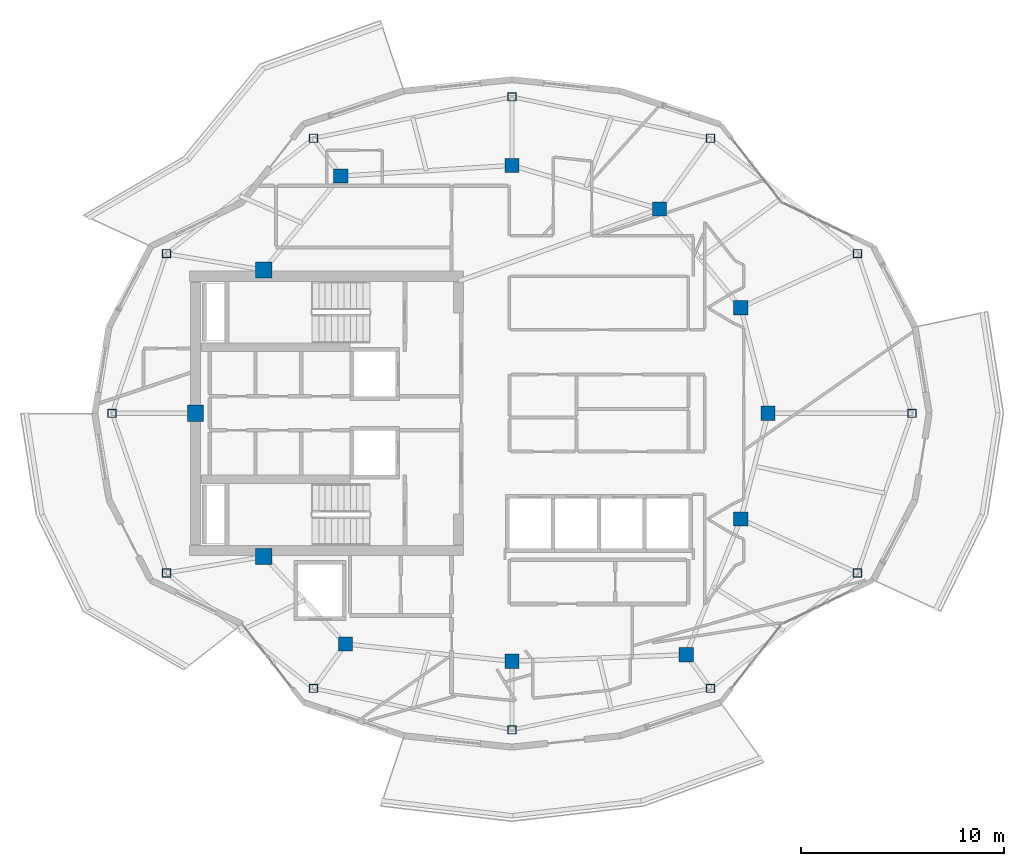
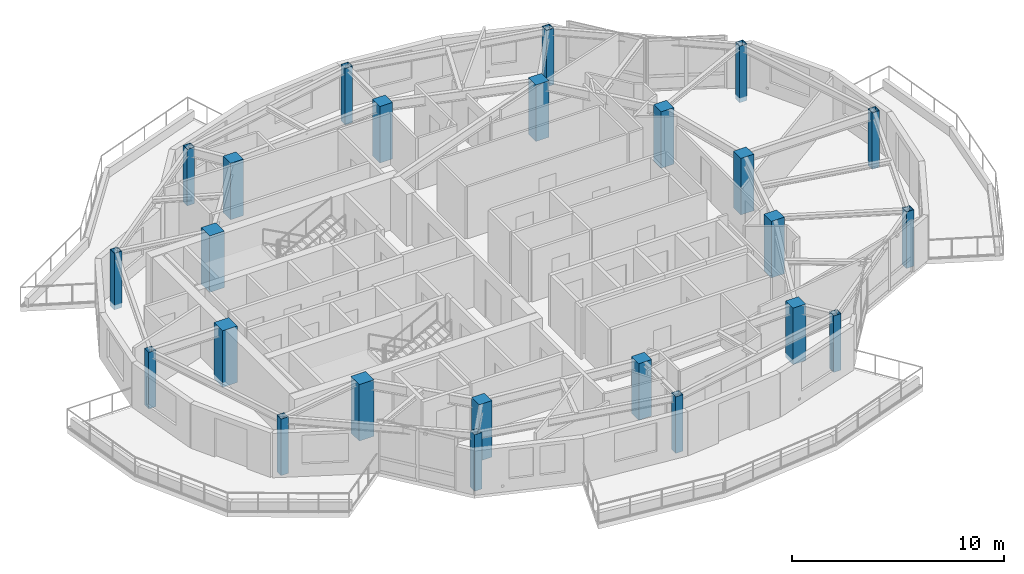
# One storey, part 1 of 15: 24 columns.
"""IFC4 building model written with IfcOpenShell, lengths in metres."""

import ifcopenshell
import ifcopenshell.guid

model = None  # the IFC model being written
_history = None  # IfcOwnerHistory: only IFC2X3 demands one
_inside = {}  # id of a spatial element -> (the spatial element, [elements in it])
_under = {}  # id of a project, library or spatial element -> (it, [spatial elements below it])
_declared = {}  # id of a project -> (the project, [libraries it declares])
_typed = {}  # id of a type object -> (the type object, [elements of that type])
_made_of = {}  # id of a material, layer set ... -> (it, [elements and type objects made of it])


def new_model(schema):
    """Start an empty IFC model of exactly this schema.

    Asked for "IFC4X3", IfcOpenShell would pick the latest addendum, in which some entities
    have other attributes; the version numbers below select the first issue.
    IFC2X3 requires an IfcOwnerHistory on every rooted entity: one is made here for all.
    """
    global model, _history
    if schema == "IFC4X3":
        model = ifcopenshell.file(schema_version=(4, 3, 0, 0))
    else:
        model = ifcopenshell.file(schema=schema)
    _inside.clear()
    _under.clear()
    _declared.clear()
    _typed.clear()
    _made_of.clear()
    _history = None
    if model.schema == "IFC2X3":
        org = make("IfcOrganization", Name="unknown")
        user = make(
            "IfcPersonAndOrganization",
            ThePerson=make("IfcPerson", FamilyName="unknown"),
            TheOrganization=org,
        )
        app = make(
            "IfcApplication",
            ApplicationDeveloper=org,
            Version="unknown",
            ApplicationFullName="unknown",
            ApplicationIdentifier="unknown",
        )
        _history = make(
            "IfcOwnerHistory",
            OwningUser=user,
            OwningApplication=app,
            ChangeAction="ADDED",
            CreationDate=0,
        )
    return model


def make(cls, **values):
    """One entity of the class cls with the attributes given. An attribute that is None is left unset."""
    return model.create_entity(
        cls, **{name: value for name, value in values.items() if value is not None}
    )


def rooted(cls, **values):
    """An entity with a GlobalId (a new one), such as an element, a storey or a relation."""
    return make(cls, GlobalId=ifcopenshell.guid.new(), OwnerHistory=_history, **values)


def si_unit(unit_type, name, prefix=None):
    """IfcSIUnit, for example si_unit("LENGTHUNIT", "METRE", prefix="MILLI")."""
    return make("IfcSIUnit", UnitType=unit_type, Prefix=prefix, Name=name)


def assignment(units):
    """IfcUnitAssignment: the units of a project."""
    return None if units is None else make("IfcUnitAssignment", Units=units)


def point(xyz):
    """IfcCartesianPoint."""
    return None if xyz is None else make("IfcCartesianPoint", Coordinates=xyz)


def direction(xyz):
    """IfcDirection."""
    return None if xyz is None else make("IfcDirection", DirectionRatios=xyz)


def frame(location, z_axis=None, x_axis=None):
    """IfcAxis2Placement3D, a coordinate frame: its origin and axes. An axis left out is left unset."""
    return make(
        "IfcAxis2Placement3D",
        Location=point(location),
        Axis=direction(z_axis),
        RefDirection=direction(x_axis),
    )


def frame_2d(location, x_axis=None):
    """IfcAxis2Placement2D, a coordinate frame in the plane: its origin and x axis."""
    return make(
        "IfcAxis2Placement2D", Location=point(location), RefDirection=direction(x_axis)
    )


def origin():
    """The frame at (0, 0, 0) with its axes left unset."""
    return frame((0.0, 0.0, 0.0))


def origin_2d():
    """The frame at (0, 0) in the plane with its x axis left unset."""
    return frame_2d((0.0, 0.0))


def place(relative_to, where):
    """IfcLocalPlacement: puts the frame where relative to a parent placement (None: the world)."""
    return make(
        "IfcLocalPlacement", PlacementRelTo=relative_to, RelativePlacement=where
    )


def context(
    kind, dimensions, precision=None, world=None, true_north=None, identifier=None
):
    """IfcGeometricRepresentationContext, for example the 3D "Model" context."""
    return make(
        "IfcGeometricRepresentationContext",
        ContextIdentifier=identifier,
        ContextType=kind,
        CoordinateSpaceDimension=dimensions,
        Precision=precision,
        WorldCoordinateSystem=world,
        TrueNorth=true_north,
    )


def subcontext(parent, identifier, kind, view, scale=None):
    """IfcGeometricRepresentationSubContext, for example "Body" below "Model"."""
    return make(
        "IfcGeometricRepresentationSubContext",
        ContextIdentifier=identifier,
        ContextType=kind,
        ParentContext=parent,
        TargetScale=scale,
        TargetView=view,
    )


def project(units=None, contexts=None):
    """IfcProject with its units and contexts."""
    return rooted(
        "IfcProject",
        Name="project",
        RepresentationContexts=contexts,
        UnitsInContext=assignment(units),
    )


def spatial(cls, under=None, at=None, **own):
    """A site, building, storey or space (cls), placed at a placement, below another one or the project."""
    s = rooted(cls, ObjectPlacement=at, **own)
    if under is not None:
        _under.setdefault(under.id(), (under, []))[1].append(s)
    return s


def profile(cls, at=None, kind="AREA", **sizes):
    """A parametric profile (cls). Its sizes go by their IFC names, for example OverallWidth=200.0."""
    return make(cls, ProfileType=kind, Position=at, **sizes)


def rectangle(**sizes):
    """IfcRectangleProfileDef."""
    return profile("IfcRectangleProfileDef", **sizes)


def hollow_rectangle(**sizes):
    """IfcRectangleHollowProfileDef."""
    return profile("IfcRectangleHollowProfileDef", **sizes)


def extrude(swept, where, along, depth):
    """IfcExtrudedAreaSolid: the profile swept, set in the frame where, extruded along a direction by depth."""
    return make(
        "IfcExtrudedAreaSolid",
        SweptArea=swept,
        Position=where,
        ExtrudedDirection=direction(along),
        Depth=depth,
    )


def shape(context_of_items, identifier, shape_type, items):
    """IfcShapeRepresentation: the items that make up one representation, for example the "Body"."""
    return make(
        "IfcShapeRepresentation",
        ContextOfItems=context_of_items,
        RepresentationIdentifier=identifier,
        RepresentationType=shape_type,
        Items=items,
    )


def material(Name=None, Category=None):
    """IfcMaterial."""
    return make("IfcMaterial", Name=Name, Category=Category)


def material_profile(
    of_material, cross_section, Name=None, Category=None, Priority=None
):
    """IfcMaterialProfile: a cross section and its material."""
    return make(
        "IfcMaterialProfile",
        Name=Name,
        Material=of_material,
        Profile=cross_section,
        Priority=Priority,
        Category=Category,
    )


def profile_set(profiles, Name=None, composite=None):
    """IfcMaterialProfileSet."""
    return make(
        "IfcMaterialProfileSet",
        Name=Name,
        MaterialProfiles=profiles,
        CompositeProfile=composite,
    )


def made_of(thing, what):
    """Note that an element or type object is made of a material, layer set ...; save() writes the relation."""
    if what is not None:
        _made_of.setdefault(what.id(), (what, []))[1].append(thing)
    return thing


def type_object(cls, material=None, **own):
    """A type object (cls), such as IfcWallType, which elements share."""
    return made_of(rooted(cls, **own), material)


def element(
    cls,
    number,
    at=None,
    inside=None,
    cuts=None,
    type_object=None,
    material=None,
    context=None,
    identifier="Body",
    shape_type=None,
    held_by="IfcProductDefinitionShape",
    body=None,
    shapes=None,
    **own,
):
    """One element of the class cls, such as IfcWall. Its Tag is "e" and its number.

    at: its placement. inside: the storey or other place that contains it. cuts: it is an
    opening in that element (IfcRelVoidsElement). A single representation is given by context,
    identifier, shape_type and body (its items); several are given by shapes. held_by: the class
    of the entity that holds the representations. save() writes the other relations.
    """
    e = rooted(cls, Tag="e%d" % number, ObjectPlacement=at, **own)
    if body is not None:
        shapes = [shape(context, identifier, shape_type, body)]
    if shapes is not None:
        e.Representation = make(held_by, Representations=shapes)
    if inside is not None:
        _inside.setdefault(inside.id(), (inside, []))[1].append(e)
    if cuts is not None:
        rooted(
            "IfcRelVoidsElement", RelatingBuildingElement=cuts, RelatedOpeningElement=e
        )
    if type_object is not None:
        _typed.setdefault(type_object.id(), (type_object, []))[1].append(e)
    return made_of(e, material)


def aggregate(whole, parts):
    """IfcRelAggregates: a whole, such as a stair, and the parts it consists of."""
    return rooted("IfcRelAggregates", RelatingObject=whole, RelatedObjects=parts)


def save(model, path):
    """Write the relations noted so far, then the file.

    IfcRelAggregates (storeys below a building ...), IfcRelContainedInSpatialStructure (elements
    in a storey), IfcRelDefinesByType, IfcRelAssociatesMaterial and IfcRelDeclares: one each for
    every whole, place, type object, material and project.
    """
    for whole, parts in _under.values():
        aggregate(whole, parts)
    for where, things in _inside.values():
        rooted(
            "IfcRelContainedInSpatialStructure",
            RelatedElements=things,
            RelatingStructure=where,
        )
    for kind, things in _typed.values():
        rooted("IfcRelDefinesByType", RelatedObjects=things, RelatingType=kind)
    for what, things in _made_of.values():
        rooted("IfcRelAssociatesMaterial", RelatedObjects=things, RelatingMaterial=what)
    for by, libraries in _declared.values():
        rooted("IfcRelDeclares", RelatingContext=by, RelatedDefinitions=libraries)
    model.write(path)


model = new_model("IFC4")

# Units and contexts
model_context = context("Model", 3, precision=1e-05, world=origin(), true_north=direction((0.0, 1.0)))
body_context = subcontext(model_context, "Body", "Model", "MODEL_VIEW")
ifc_project = project(units=[si_unit("LENGTHUNIT", "METRE"), si_unit("AREAUNIT", "SQUARE_METRE"), si_unit("VOLUMEUNIT", "CUBIC_METRE"), si_unit("PLANEANGLEUNIT", "RADIAN"), si_unit("MASSUNIT", "GRAM", prefix="KILO")], contexts=[model_context])

# Site, building, storey
site_placement = place(None, origin())
site = spatial("IfcSite", under=ifc_project, at=site_placement, CompositionType="ELEMENT")
building_placement = place(site_placement, origin())
building = spatial("IfcBuilding", under=site, at=building_placement, Name="Kolvaren Gate Tower and Convention Centre", CompositionType="ELEMENT")
storey_placement = place(building_placement, frame((0.0, 0.0, 272.300048828125)))
storey = spatial("IfcBuildingStorey", under=building, at=storey_placement, Name="L74", CompositionType="ELEMENT", Elevation=272.300048828125)

# Columns
ifc_material_1 = material(Name="Structural steel ASTM A500 Grade C 345 MPa", Category="steel")
ifc_material_profile_1 = material_profile(ifc_material_1, hollow_rectangle(XDim=0.406005859375, YDim=0.406005859375, WallThickness=0.015869140625, at=origin_2d()), Name="HSS406X406X15.9")
ifc_profile_set_1 = profile_set([ifc_material_profile_1], Name="Structural steel ASTM A500 Grade C 345 MPa")
column_type_1 = type_object("IfcColumnType", Name="STR-COL-HSS406", PredefinedType="COLUMN", material=ifc_profile_set_1)
for number, where, z_axis, x_axis, name in (
    (1, (49.80615234375, 27.0, -0.27001953125), (0.0, 0.0, 1.0), (1.0, 0.0, 0.0), "Tower L74 Perimeter Supercolumn TP-01"),
    (2, (47.1337890625, 34.856201171875, -0.27001953125), (0.0, 0.0, 1.0), (1.0, 0.0, 0.0), "Tower L74 Perimeter Supercolumn TP-02"),
    (3, (39.893310546875, 40.53515625, -0.27001953125), (0.0, 0.0, 1.0), (1.0, 0.0, 0.0), "Tower L74 Perimeter Supercolumn TP-03"),
    (4, (30.125, 42.574951171875, -0.27001953125), (0.0, 0.0, 1.0), (1.0, 0.0, 0.0), "Tower L74 Perimeter Supercolumn TP-04"),
    (5, (20.356689453125, 40.53515625, -0.27001953125), (0.0, 0.0, 1.0), (1.0, 0.0, 0.0), "Tower L74 Perimeter Supercolumn TP-05"),
    (6, (13.1162109375, 34.856201171875, -0.27001953125), (0.0, 0.0, 1.0), (1.0, 0.0, 0.0), "Tower L74 Perimeter Supercolumn TP-06"),
    (7, (10.44384765625, 27.0, -0.27001953125), (0.0, 0.0, 1.0), (1.0, 0.0, 0.0), "Tower L74 Perimeter Supercolumn TP-07"),
    (8, (13.1162109375, 19.143798828125, -0.27001953125), (0.0, 0.0, 1.0), (1.0, 0.0, 0.0), "Tower L74 Perimeter Supercolumn TP-08"),
    (9, (20.356689453125, 13.46484375, -0.27001953125), (0.0, 0.0, 1.0), (1.0, 0.0, 0.0), "Tower L74 Perimeter Supercolumn TP-09"),
    (10, (30.125, 11.425048828125, -0.27001953125), (0.0, 0.0, 1.0), (1.0, 0.0, 0.0), "Tower L74 Perimeter Supercolumn TP-10"),
    (11, (39.893310546875, 13.46484375, -0.27001953125), (0.0, 0.0, 1.0), (1.0, 0.0, 0.0), "Tower L74 Perimeter Supercolumn TP-11"),
    (12, (47.1337890625, 19.143798828125, -0.27001953125), (0.0, 0.0, 1.0), (1.0, 0.0, 0.0), "Tower L74 Perimeter Supercolumn TP-12"),
):
    element("IfcColumn", number, at=place(storey_placement, frame(where, z_axis=z_axis, x_axis=x_axis)), inside=storey, type_object=column_type_1, Name=name, PredefinedType="COLUMN", context=body_context, shape_type="SweptSolid", body=[
        extrude(hollow_rectangle(XDim=0.406005859375, YDim=0.406005859375, WallThickness=0.015869140625, at=origin_2d()), origin(), (0.0, 0.0, 1.0), 3.25),
    ])
ifc_material_2 = material(Name="Concrete C50/60", Category="concrete")
ifc_material_profile_2 = material_profile(ifc_material_2, rectangle(XDim=0.699951171875, YDim=0.699951171875, at=origin_2d()), Name="RC-COL-700X700")
ifc_profile_set_2 = profile_set([ifc_material_profile_2], Name="Concrete C50/60")
column_type_2 = type_object("IfcColumnType", Name="STR-COL-RC700", PredefinedType="COLUMN", material=ifc_profile_set_2)
for number, where, z_axis, x_axis, name in (
    (13, (42.72509765625, 27.0, -0.27001953125), (0.0, 0.0, 1.0), (1.0, 0.0, 0.0), "Tower L74 Interior Column TI-01"),
    (14, (41.382080078125, 32.199462890625, -0.27001953125), (0.0, 0.0, 1.0), (1.0, 0.0, 0.0), "Tower L74 Interior Column TI-02"),
    (15, (37.381591796875, 37.054931640625, -0.27001953125), (0.0, 0.0, 1.0), (1.0, 0.0, 0.0), "Tower L74 Interior Column TI-03"),
    (16, (30.125, 39.199951171875, -0.27001953125), (0.0, 0.0, 1.0), (1.0, 0.0, 0.0), "Tower L74 Interior Column TI-04"),
    (17, (21.697998046875, 38.6767578125, -0.27001953125), (0.0, 0.0, 1.0), (1.0, 0.0, 0.0), "Tower L74 Interior Column TI-05"),
    (18, (21.93212890625, 15.647705078125, -0.27001953125), (0.0, 0.0, 1.0), (1.0, 0.0, 0.0), "Tower L74 Interior Column TI-06"),
    (19, (30.125, 14.800048828125, -0.27001953125), (0.0, 0.0, 1.0), (1.0, 0.0, 0.0), "Tower L74 Interior Column TI-07"),
    (20, (38.6982421875, 15.12060546875, -0.27001953125), (0.0, 0.0, 1.0), (1.0, 0.0, 0.0), "Tower L74 Interior Column TI-08"),
    (21, (41.382080078125, 21.800537109375, -0.27001953125), (0.0, 0.0, 1.0), (1.0, 0.0, 0.0), "Tower L74 Interior Column TI-09"),
):
    element("IfcColumn", number, at=place(storey_placement, frame(where, z_axis=z_axis, x_axis=x_axis)), inside=storey, type_object=column_type_2, Name=name, PredefinedType="COLUMN", context=body_context, shape_type="SweptSolid", body=[
        extrude(rectangle(XDim=0.699951171875, YDim=0.699951171875, at=origin_2d()), origin(), (0.0, 0.0, 1.0), 3.25),
    ])
ifc_material_3 = material(Name="Concrete C60/75", Category="concrete")
ifc_material_profile_3 = material_profile(ifc_material_3, rectangle(XDim=0.800048828125, YDim=0.800048828125, at=origin_2d()), Name="RC-COL-800X800")
ifc_profile_set_3 = profile_set([ifc_material_profile_3], Name="Concrete C60/75")
column_type_3 = type_object("IfcColumnType", Name="STR-PIL-RC800", PredefinedType="PILASTER", material=ifc_profile_set_3)
for number, where, z_axis, x_axis, name in (
    (22, (17.9140625, 34.050048828125, -0.27001953125), (0.0, 0.0, 1.0), (1.0, 0.0, 0.0), "Tower L74 Core Boundary Pilaster TC-05"),
    (23, (14.550048828125, 27.0, -0.27001953125), (0.0, 0.0, 1.0), (1.0, 0.0, 0.0), "Tower L74 Core Boundary Pilaster TC-06"),
    (24, (17.9140625, 19.949951171875, -0.27001953125), (0.0, 0.0, 1.0), (1.0, 0.0, 0.0), "Tower L74 Core Boundary Pilaster TC-07"),
):
    element("IfcColumn", number, at=place(storey_placement, frame(where, z_axis=z_axis, x_axis=x_axis)), inside=storey, type_object=column_type_3, Name=name, PredefinedType="PILASTER", context=body_context, shape_type="SweptSolid", body=[
        extrude(rectangle(XDim=0.800048828125, YDim=0.800048828125, at=origin_2d()), origin(), (0.0, 0.0, 1.0), 3.25),
    ])

save(model, "model.ifc")
